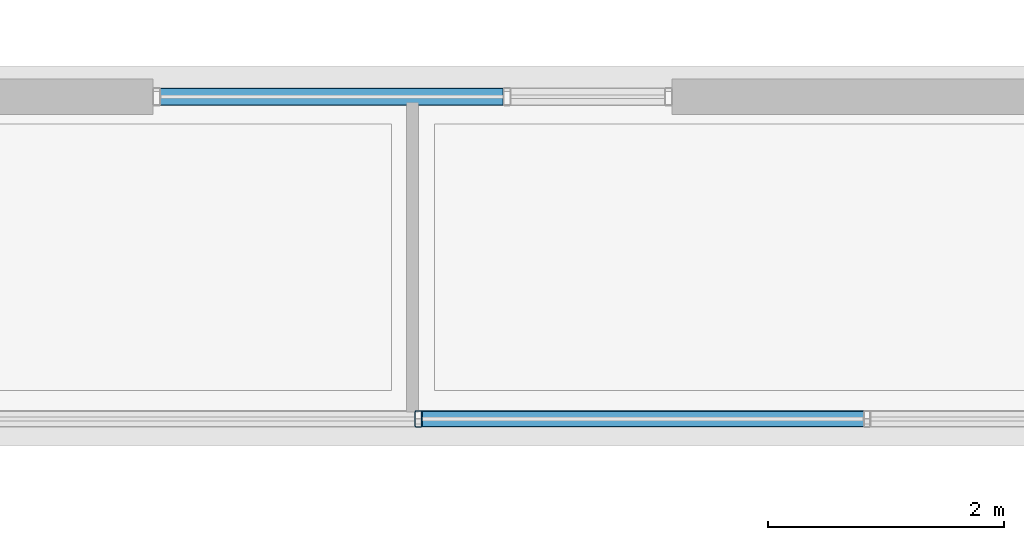
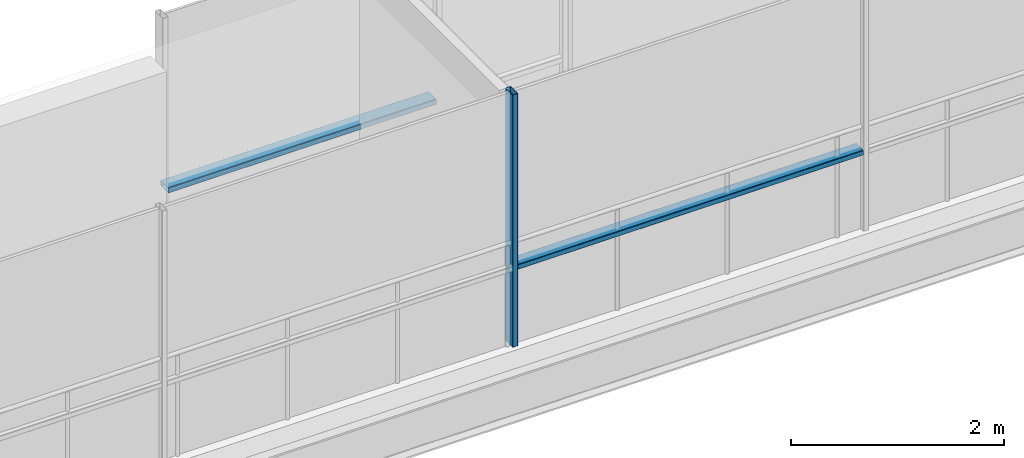
# One storey, part 12 of 35: 3 members, 2 elements without a shape of their own.
"""IFC4 building model written with IfcOpenShell, lengths in metres."""

from ifc_helpers import new_model, si_unit, direction, frame, origin, origin_2d, place, context, subcontext, project, spatial, hollow_rectangle, extrude, material, layer, layer_set, material_profile, profile_set, type_object, element, aggregate, save


model = new_model("IFC4")

# Units and contexts
model_context = context("Model", 3, precision=1e-05, world=origin(), true_north=direction((0.0, 1.0)))
body_context = subcontext(model_context, "Body", "Model", "MODEL_VIEW")
ifc_project = project(units=[si_unit("LENGTHUNIT", "METRE"), si_unit("AREAUNIT", "SQUARE_METRE"), si_unit("VOLUMEUNIT", "CUBIC_METRE"), si_unit("PLANEANGLEUNIT", "RADIAN"), si_unit("MASSUNIT", "GRAM", prefix="KILO")], contexts=[model_context])

# Site, building, storey
site_placement = place(None, origin())
site = spatial("IfcSite", under=ifc_project, at=site_placement, CompositionType="ELEMENT")
building_placement = place(site_placement, origin())
building = spatial("IfcBuilding", under=site, at=building_placement, Name="Brevholm Reach", CompositionType="ELEMENT")
storey_placement = place(building_placement, frame((0.0, 0.0, 183.199951171875)))
storey = spatial("IfcBuildingStorey", under=building, at=storey_placement, Name="L55", CompositionType="ELEMENT", Elevation=183.199951171875)

# Curtain wall, members
ifc_material_1 = material(Name="Dark Anodised Aluminium 6063-T6 and Solar-Control Glass", Category="aluminium")
ifc_layer_1 = layer(ifc_material_1, 0.139892578125)
ifc_layer_set_1 = layer_set([ifc_layer_1], Name="Dark Anodised Aluminium 6063-T6 and Solar-Control Glass")
curtain_wall_type_1 = type_object("IfcCurtainWallType", Name="CW-02", PredefinedType="NOTDEFINED", material=ifc_layer_set_1)
curtain_wall_1_placement = place(storey_placement, origin())
curtain_wall_1 = element("IfcCurtainWall", 1, at=curtain_wall_1_placement, inside=storey, type_object=curtain_wall_type_1, Name="L55 Curtain Wall CW-02", PredefinedType="NOTDEFINED")
ifc_material_2 = material(Name="Dark Anodised Aluminium 6063-T6", Category="aluminium")
ifc_material_profile_1 = material_profile(ifc_material_2, hollow_rectangle(XDim=0.06005859375, YDim=0.139892578125, WallThickness=0.0048828125, InnerFilletRadius=0.0048828125, OuterFilletRadius=0.010009765625, at=origin_2d()), Name="RHS 140x60x5")
ifc_profile_set_1 = profile_set([ifc_material_profile_1], Name="Dark Anodised Aluminium 6063-T6")
member_type_1 = type_object("IfcMemberType", Name="CWM-140", PredefinedType="MULLION", material=ifc_profile_set_1)
member_1_placement = place(storey_placement, frame((30.050048828125, 23.6201171875, 0.0), z_axis=(0.0, 0.0, 1.0), x_axis=(-1.0, 0.0, 0.0)))
member_1 = element("IfcMember", 2, at=member_1_placement, type_object=member_type_1, Name="CM-140 Mullion 3", PredefinedType="MULLION", context=body_context, shape_type="SweptSolid", body=[
    extrude(hollow_rectangle(XDim=0.06005859375, YDim=0.139892578125, WallThickness=0.0048828125, InnerFilletRadius=0.0048828125, OuterFilletRadius=0.010009765625, at=origin_2d()), origin(), (0.0, 0.0, 1.0), 2.89013671875),
])
ifc_material_3 = material(Name="Dark Anodised Aluminium 6063-T6", Category="aluminium")
ifc_material_profile_2 = material_profile(ifc_material_3, hollow_rectangle(XDim=0.06005859375, YDim=0.139892578125, WallThickness=0.0048828125, InnerFilletRadius=0.0048828125, OuterFilletRadius=0.010009765625, at=origin_2d()), Name="RHS 140x60x5")
ifc_profile_set_2 = profile_set([ifc_material_profile_2], Name="Dark Anodised Aluminium 6063-T6")
member_type_2 = type_object("IfcMemberType", Name="CWT-140", PredefinedType="NOTDEFINED", material=ifc_profile_set_2)
member_2_placement = place(storey_placement, frame((33.820068359375, 23.6201171875, 0.900146484375), z_axis=(-1.0, 0.0, 0.0), x_axis=(0.0, 0.0, 1.0)))
member_2 = element("IfcMember", 3, at=member_2_placement, type_object=member_type_2, Name="CT-140 Transom 2.1", ObjectType="TRANSOM", PredefinedType="USERDEFINED", context=body_context, shape_type="SweptSolid", body=[
    extrude(hollow_rectangle(XDim=0.06005859375, YDim=0.139892578125, WallThickness=0.0048828125, InnerFilletRadius=0.0048828125, OuterFilletRadius=0.010009765625, at=origin_2d()), origin(), (0.0, 0.0, 1.0), 3.739990234375),
])
aggregate(curtain_wall_1, [member_1, member_2])

# Curtain wall, member
ifc_material_4 = material(Name="Dark Anodised Aluminium 6063-T6 and Solar-Control Glass", Category="aluminium")
ifc_layer_2 = layer(ifc_material_4, 0.14990234375)
ifc_layer_set_2 = layer_set([ifc_layer_2], Name="Dark Anodised Aluminium 6063-T6 and Solar-Control Glass")
curtain_wall_type_2 = type_object("IfcCurtainWallType", Name="CW-01", PredefinedType="NOTDEFINED", material=ifc_layer_set_2)
curtain_wall_2_placement = place(storey_placement, origin())
curtain_wall_2 = element("IfcCurtainWall", 4, at=curtain_wall_2_placement, inside=storey, type_object=curtain_wall_type_2, Name="L55 Curtain Wall CW-01", PredefinedType="NOTDEFINED")
ifc_material_5 = material(Name="Dark Anodised Aluminium 6063-T6", Category="aluminium")
ifc_material_profile_3 = material_profile(ifc_material_5, hollow_rectangle(XDim=0.06494140625, YDim=0.14990234375, WallThickness=0.0048828125, InnerFilletRadius=0.0048828125, OuterFilletRadius=0.010009765625, at=origin_2d()), Name="RHS 150x65x5")
ifc_profile_set_3 = profile_set([ifc_material_profile_3], Name="Dark Anodised Aluminium 6063-T6")
member_type_3 = type_object("IfcMemberType", Name="CWT-150", PredefinedType="NOTDEFINED", material=ifc_profile_set_3)
member_3_placement = place(storey_placement, frame((27.864990234375, 26.35009765625, 0.900146484375), z_axis=(1.0, 0.0, 0.0), x_axis=(0.0, 0.0, 1.0)))
member_3 = element("IfcMember", 5, at=member_3_placement, type_object=member_type_3, Name="CT-150 Transom 1.1", ObjectType="TRANSOM", PredefinedType="USERDEFINED", context=body_context, shape_type="SweptSolid", body=[
    extrude(hollow_rectangle(XDim=0.06494140625, YDim=0.14990234375, WallThickness=0.0048828125, InnerFilletRadius=0.0048828125, OuterFilletRadius=0.010009765625, at=origin_2d()), origin(), (0.0, 0.0, 1.0), 2.902587890625),
])
aggregate(curtain_wall_2, [member_3])

save(model, "model.ifc")
